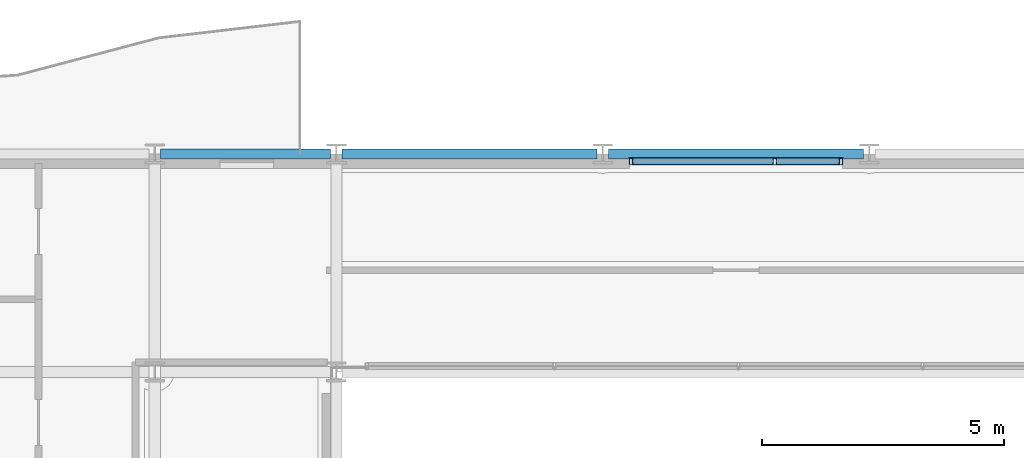
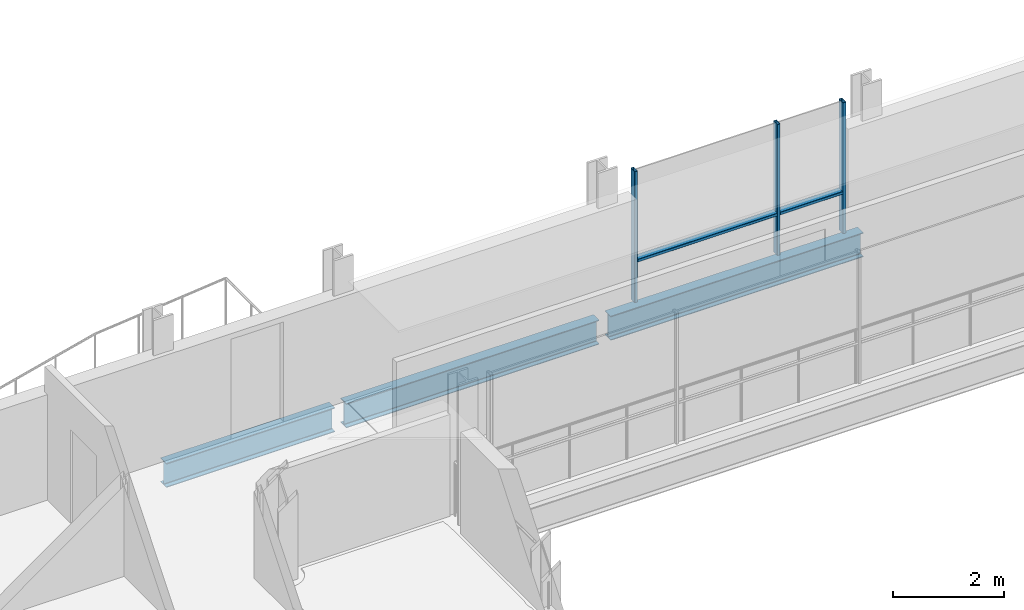
# One storey, part 24 of 41: 5 members, 3 beams, 1 element without a shape of its own.
"""IFC4 building model written with IfcOpenShell, lengths in metres."""

from ifc_helpers import new_model, si_unit, direction, frame, origin, origin_2d, place, context, subcontext, project, spatial, hollow_rectangle, i_section, extrude, material, layer, layer_set, material_profile, profile_set, type_object, element, aggregate, save


model = new_model("IFC4")

# Units and contexts
model_context = context("Model", 3, precision=1e-05, world=origin(), true_north=direction((0.0, 1.0)))
body_context = subcontext(model_context, "Body", "Model", "MODEL_VIEW")
ifc_project = project(units=[si_unit("LENGTHUNIT", "METRE"), si_unit("AREAUNIT", "SQUARE_METRE"), si_unit("VOLUMEUNIT", "CUBIC_METRE"), si_unit("PLANEANGLEUNIT", "RADIAN"), si_unit("MASSUNIT", "GRAM", prefix="KILO")], contexts=[model_context])

# Site, building, storey
site_placement = place(None, origin())
site = spatial("IfcSite", under=ifc_project, at=site_placement, CompositionType="ELEMENT")
building_placement = place(site_placement, origin())
building = spatial("IfcBuilding", under=site, at=building_placement, Name="Brevholm Reach", CompositionType="ELEMENT")
storey_placement = place(building_placement, frame((0.0, 0.0, 151.10009765625)))
storey = spatial("IfcBuildingStorey", under=building, at=storey_placement, Name="L45", CompositionType="ELEMENT", Elevation=151.10009765625)

# Beams
ifc_material_1 = material(Name="Structural Steel S355J2", Category="steel")
ifc_material_profile_1 = material_profile(ifc_material_1, i_section(OverallWidth=0.209228515625, OverallDepth=0.533203125, WebThickness=0.010009765625, FlangeThickness=0.015625, FilletRadius=0.0126953125, at=origin_2d()), Name="UKB 533x210x92")
ifc_profile_set_1 = profile_set([ifc_material_profile_1], Name="Structural Steel S355J2")
beam_type = type_object("IfcBeamType", Name="BM-SP533", PredefinedType="SPANDREL", material=ifc_profile_set_1)
beam_placement = place(storey_placement, frame((18.1201171875, 31.0, -0.486572265625), z_axis=(1.0, 0.0, 0.0), x_axis=(0.0, 1.0, 0.0)))
element("IfcBeam", 1, at=beam_placement, inside=storey, type_object=beam_type, Name="L45 SP-02 Framing Beam", PredefinedType="SPANDREL", context=body_context, shape_type="SweptSolid", body=[
    extrude(i_section(OverallWidth=0.209228515625, OverallDepth=0.533203125, WebThickness=0.010009765625, FlangeThickness=0.015625, FilletRadius=0.0126953125, at=origin_2d()), origin(), (0.0, 0.0, 1.0), 3.509765625),
])
for number, where, z_axis, x_axis, name in (
    (2, (21.8701171875, 31.0, -0.486572265625), (1.0, 0.0, 0.0), (0.0, 1.0, 0.0), "L45 SP-02 Framing Beam"),
    (3, (27.3701171875, 31.0, -0.486572265625), (1.0, 0.0, 0.0), (0.0, 1.0, 0.0), "L45 SP-02 Framing Beam"),
):
    element("IfcBeam", number, at=place(storey_placement, frame(where, z_axis=z_axis, x_axis=x_axis)), inside=storey, type_object=beam_type, Name=name, PredefinedType="SPANDREL", context=body_context, shape_type="SweptSolid", body=[
        extrude(i_section(OverallWidth=0.209228515625, OverallDepth=0.533203125, WebThickness=0.010009765625, FlangeThickness=0.015625, FilletRadius=0.0126953125, at=origin_2d()), origin(), (0.0, 0.0, 1.0), 5.259765625),
    ])

# Curtain wall, members
ifc_material_2 = material(Name="Dark Anodised Aluminium 6063-T6 and Solar-Control Glass", Category="aluminium")
ifc_layer = layer(ifc_material_2, 0.14990234375)
ifc_layer_set = layer_set([ifc_layer], Name="Dark Anodised Aluminium 6063-T6 and Solar-Control Glass")
curtain_wall_type = type_object("IfcCurtainWallType", Name="CW-01", PredefinedType="NOTDEFINED", material=ifc_layer_set)
curtain_wall_placement = place(storey_placement, origin())
curtain_wall = element("IfcCurtainWall", 4, at=curtain_wall_placement, inside=storey, type_object=curtain_wall_type, Name="L45 Curtain Wall CW-01", PredefinedType="NOTDEFINED")
ifc_material_3 = material(Name="Dark Anodised Aluminium 6063-T6", Category="aluminium")
ifc_material_profile_2 = material_profile(ifc_material_3, hollow_rectangle(XDim=0.06494140625, YDim=0.14990234375, WallThickness=0.0048828125, InnerFilletRadius=0.0048828125, OuterFilletRadius=0.010009765625, at=origin_2d()), Name="RHS 150x65x5")
ifc_profile_set_2 = profile_set([ifc_material_profile_2], Name="Dark Anodised Aluminium 6063-T6")
member_type_1 = type_object("IfcMemberType", Name="CWM-150", PredefinedType="MULLION", material=ifc_profile_set_2)
member_1_placement = place(storey_placement, frame((27.83251953125, 30.85009765625, 0.0), z_axis=(0.0, 0.0, 1.0), x_axis=(1.0, 0.0, 0.0)))
member_1 = element("IfcMember", 5, at=member_1_placement, type_object=member_type_1, Name="CM-150 Mullion 1", PredefinedType="MULLION", context=body_context, shape_type="SweptSolid", body=[
    extrude(hollow_rectangle(XDim=0.06494140625, YDim=0.14990234375, WallThickness=0.0048828125, InnerFilletRadius=0.0048828125, OuterFilletRadius=0.010009765625, at=origin_2d()), origin(), (0.0, 0.0, 1.0), 2.8798828125),
])
member_2_placement = place(storey_placement, frame((30.800048828125, 30.85009765625, 0.0), z_axis=(0.0, 0.0, 1.0), x_axis=(1.0, 0.0, 0.0)))
member_2 = element("IfcMember", 6, at=member_2_placement, type_object=member_type_1, Name="CM-150 Mullion 2", PredefinedType="MULLION", context=body_context, shape_type="SweptSolid", body=[
    extrude(hollow_rectangle(XDim=0.06494140625, YDim=0.14990234375, WallThickness=0.0048828125, InnerFilletRadius=0.0048828125, OuterFilletRadius=0.010009765625, at=origin_2d()), origin(), (0.0, 0.0, 1.0), 2.8798828125),
])
member_3_placement = place(storey_placement, frame((32.16748046875, 30.85009765625, 0.0), z_axis=(0.0, 0.0, 1.0), x_axis=(1.0, 0.0, 0.0)))
member_3 = element("IfcMember", 7, at=member_3_placement, type_object=member_type_1, Name="CM-150 Mullion 3", PredefinedType="MULLION", context=body_context, shape_type="SweptSolid", body=[
    extrude(hollow_rectangle(XDim=0.06494140625, YDim=0.14990234375, WallThickness=0.0048828125, InnerFilletRadius=0.0048828125, OuterFilletRadius=0.010009765625, at=origin_2d()), origin(), (0.0, 0.0, 1.0), 2.8798828125),
])
ifc_material_4 = material(Name="Dark Anodised Aluminium 6063-T6", Category="aluminium")
ifc_material_profile_3 = material_profile(ifc_material_4, hollow_rectangle(XDim=0.06494140625, YDim=0.14990234375, WallThickness=0.0048828125, InnerFilletRadius=0.0048828125, OuterFilletRadius=0.010009765625, at=origin_2d()), Name="RHS 150x65x5")
ifc_profile_set_3 = profile_set([ifc_material_profile_3], Name="Dark Anodised Aluminium 6063-T6")
member_type_2 = type_object("IfcMemberType", Name="CWT-150", PredefinedType="NOTDEFINED", material=ifc_profile_set_3)
member_4_placement = place(storey_placement, frame((27.864990234375, 30.85009765625, 0.89990234375), z_axis=(1.0, 0.0, 0.0), x_axis=(0.0, 0.0, 1.0)))
member_4 = element("IfcMember", 8, at=member_4_placement, type_object=member_type_2, Name="CT-150 Transom 1.1", ObjectType="TRANSOM", PredefinedType="USERDEFINED", context=body_context, shape_type="SweptSolid", body=[
    extrude(hollow_rectangle(XDim=0.06494140625, YDim=0.14990234375, WallThickness=0.0048828125, InnerFilletRadius=0.0048828125, OuterFilletRadius=0.010009765625, at=origin_2d()), origin(), (0.0, 0.0, 1.0), 2.902587890625),
])
member_5_placement = place(storey_placement, frame((30.83251953125, 30.85009765625, 0.89990234375), z_axis=(1.0, 0.0, 0.0), x_axis=(0.0, 0.0, 1.0)))
member_5 = element("IfcMember", 9, at=member_5_placement, type_object=member_type_2, Name="CT-150 Transom 2.1", ObjectType="TRANSOM", PredefinedType="USERDEFINED", context=body_context, shape_type="SweptSolid", body=[
    extrude(hollow_rectangle(XDim=0.06494140625, YDim=0.14990234375, WallThickness=0.0048828125, InnerFilletRadius=0.0048828125, OuterFilletRadius=0.010009765625, at=origin_2d()), origin(), (0.0, 0.0, 1.0), 1.302490234375),
])
aggregate(curtain_wall, [member_1, member_2, member_3, member_4, member_5])

save(model, "model.ifc")
